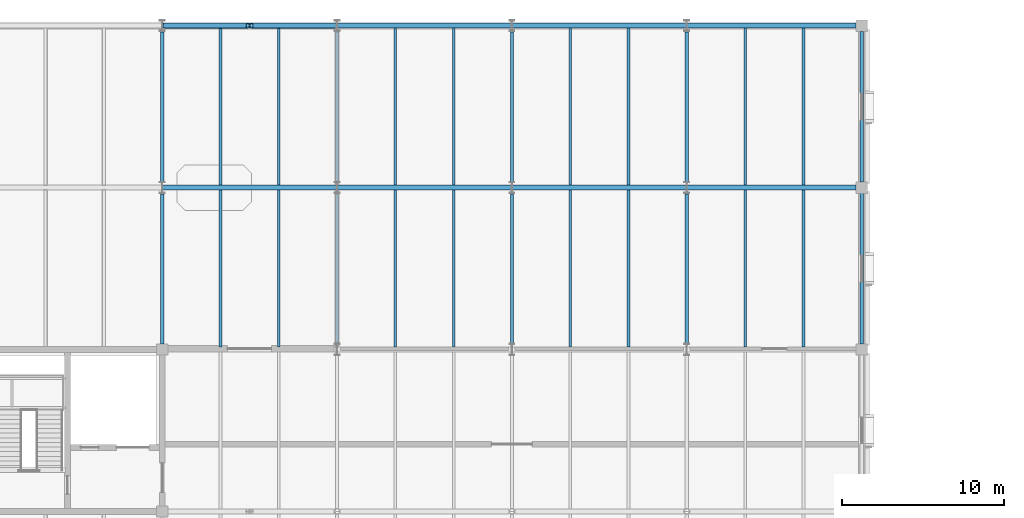
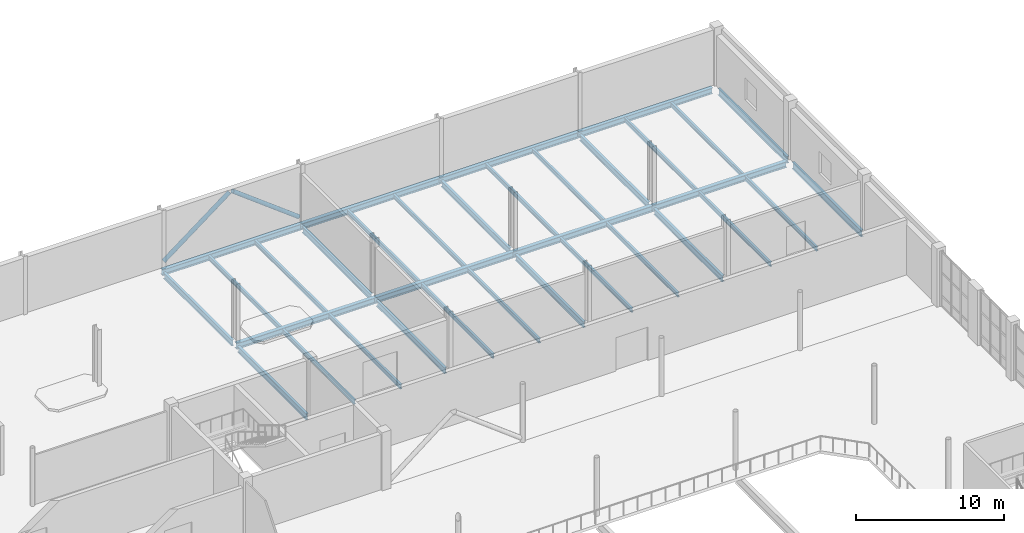
# One storey, part 45 of 92: 34 beams, 2 members.
"""IFC4 building model written with IfcOpenShell, lengths in metres."""

from ifc_helpers import new_model, si_unit, direction, frame, origin, origin_2d, place, context, subcontext, project, spatial, hollow_circle, i_section, extrude, material, material_profile, profile_set, type_object, element, save


model = new_model("IFC4")

# Units and contexts
model_context = context("Model", 3, precision=1e-05, world=origin(), true_north=direction((0.0, 1.0)))
body_context = subcontext(model_context, "Body", "Model", "MODEL_VIEW")
ifc_project = project(units=[si_unit("LENGTHUNIT", "METRE"), si_unit("AREAUNIT", "SQUARE_METRE"), si_unit("VOLUMEUNIT", "CUBIC_METRE"), si_unit("PLANEANGLEUNIT", "RADIAN"), si_unit("MASSUNIT", "GRAM", prefix="KILO")], contexts=[model_context])

# Site, building, storey
site_placement = place(None, origin())
site = spatial("IfcSite", under=ifc_project, at=site_placement, CompositionType="ELEMENT")
building_placement = place(site_placement, origin())
building = spatial("IfcBuilding", under=site, at=building_placement, Name="Tasgan Crest Museum", CompositionType="ELEMENT")
storey_placement = place(building_placement, frame((0.0, 0.0, 4.800048828125)))
storey = spatial("IfcBuildingStorey", under=building, at=storey_placement, Name="L01", CompositionType="ELEMENT", Elevation=4.800048828125)

# Beams
ifc_material_1 = material(Name="Steel S355J2", Category="steel")
ifc_material_profile_1 = material_profile(ifc_material_1, i_section(OverallWidth=0.300048828125, OverallDepth=0.489990234375, WebThickness=0.011962890625, FlangeThickness=0.02294921875, FilletRadius=0.027099609375, at=origin_2d()), Name="HEA 500")
ifc_profile_set_1 = profile_set([ifc_material_profile_1], Name="Steel S355J2")
beam_type_1 = type_object("IfcBeamType", Name="BM-G-HEA500", PredefinedType="BEAM", material=ifc_profile_set_1)
for number, where, z_axis, x_axis, name in (
    (1, (64.805419921875, 102.0, -0.485107421875), (1.0, 0.0, 0.0), (0.0, 1.0, 0.0), "Girder L01 L 64.8-75.6"),
    (2, (75.60546875, 102.0, -0.485107421875), (1.0, 0.0, 0.0), (0.0, 1.0, 0.0), "Girder L01 L 75.6-86.4"),
    (3, (86.405517578125, 102.0, -0.485107421875), (1.0, 0.0, 0.0), (0.0, 1.0, 0.0), "Girder L01 L 86.4-97.2"),
):
    element("IfcBeam", number, at=place(storey_placement, frame(where, z_axis=z_axis, x_axis=x_axis)), inside=storey, type_object=beam_type_1, Name=name, PredefinedType="BEAM", context=body_context, shape_type="SweptSolid", body=[
        extrude(i_section(OverallWidth=0.300048828125, OverallDepth=0.489990234375, WebThickness=0.011962890625, FlangeThickness=0.02294921875, FilletRadius=0.027099609375, at=origin_2d()), origin(), (0.0, 0.0, 1.0), 10.7890625),
    ])
beam_1_placement = place(storey_placement, frame((97.20556640625, 102.0, -0.485107421875), z_axis=(1.0, 0.0, 0.0), x_axis=(0.0, 1.0, 0.0)))
element("IfcBeam", 4, at=beam_1_placement, inside=storey, type_object=beam_type_1, Name="Girder L01 L 97.2-108.0", PredefinedType="BEAM", context=body_context, shape_type="SweptSolid", body=[
    extrude(i_section(OverallWidth=0.300048828125, OverallDepth=0.489990234375, WebThickness=0.011962890625, FlangeThickness=0.02294921875, FilletRadius=0.027099609375, at=origin_2d()), origin(), (0.0, 0.0, 1.0), 10.448486328125),
])
for number, where, z_axis, x_axis, name in (
    (5, (64.805419921875, 112.0, -0.485107421875), (1.0, 0.0, 0.0), (0.0, 1.0, 0.0), "Girder L01 M 64.8-75.6"),
    (6, (75.60546875, 112.0, -0.485107421875), (1.0, 0.0, 0.0), (0.0, 1.0, 0.0), "Girder L01 M 75.6-86.4"),
    (7, (86.405517578125, 112.0, -0.485107421875), (1.0, 0.0, 0.0), (0.0, 1.0, 0.0), "Girder L01 M 86.4-97.2"),
):
    element("IfcBeam", number, at=place(storey_placement, frame(where, z_axis=z_axis, x_axis=x_axis)), inside=storey, type_object=beam_type_1, Name=name, PredefinedType="BEAM", context=body_context, shape_type="SweptSolid", body=[
        extrude(i_section(OverallWidth=0.300048828125, OverallDepth=0.489990234375, WebThickness=0.011962890625, FlangeThickness=0.02294921875, FilletRadius=0.027099609375, at=origin_2d()), origin(), (0.0, 0.0, 1.0), 10.7890625),
    ])
beam_2_placement = place(storey_placement, frame((97.20556640625, 112.0, -0.485107421875), z_axis=(1.0, 0.0, 0.0), x_axis=(0.0, 1.0, 0.0)))
element("IfcBeam", 8, at=beam_2_placement, inside=storey, type_object=beam_type_1, Name="Girder L01 M 97.2-108.0", PredefinedType="BEAM", context=body_context, shape_type="SweptSolid", body=[
    extrude(i_section(OverallWidth=0.300048828125, OverallDepth=0.489990234375, WebThickness=0.011962890625, FlangeThickness=0.02294921875, FilletRadius=0.027099609375, at=origin_2d()), origin(), (0.0, 0.0, 1.0), 10.448486328125),
])
ifc_material_2 = material(Name="Steel S355J2", Category="steel")
ifc_material_profile_2 = material_profile(ifc_material_2, i_section(OverallWidth=0.199951171875, OverallDepth=0.5, WebThickness=0.01025390625, FlangeThickness=0.01611328125, FilletRadius=0.02099609375, at=origin_2d()), Name="IPE 500")
ifc_profile_set_2 = profile_set([ifc_material_profile_2], Name="Steel S355J2")
beam_type_2 = type_object("IfcBeamType", Name="BM-G-IPE500", PredefinedType="BEAM", material=ifc_profile_set_2)
beam_3_placement = place(storey_placement, frame((64.800048828125, 92.344970703125, -0.489990234375), z_axis=(0.0, 1.0, 0.0), x_axis=(-1.0, 0.0, 0.0)))
element("IfcBeam", 9, at=beam_3_placement, inside=storey, type_object=beam_type_2, Name="Beam L01 7 92.0-102.0", PredefinedType="BEAM", context=body_context, shape_type="SweptSolid", body=[
    extrude(i_section(OverallWidth=0.199951171875, OverallDepth=0.5, WebThickness=0.01025390625, FlangeThickness=0.01611328125, FilletRadius=0.02099609375, at=origin_2d()), origin(), (0.0, 0.0, 1.0), 9.26513671875),
])
for number, where, z_axis, x_axis, name in (
    (10, (64.800048828125, 102.389892578125, -0.489990234375), (0.0, 1.0, 0.0), (-1.0, 0.0, 0.0), "Beam L01 7 102.0-112.0"),
    (11, (75.60009765625, 92.389892578125, -0.489990234375), (0.0, 1.0, 0.0), (-1.0, 0.0, 0.0), "Beam L01 8 92.0-102.0"),
    (12, (75.60009765625, 102.389892578125, -0.489990234375), (0.0, 1.0, 0.0), (-1.0, 0.0, 0.0), "Beam L01 8 102.0-112.0"),
    (13, (86.39990234375, 92.389892578125, -0.489990234375), (0.0, 1.0, 0.0), (-1.0, 0.0, 0.0), "Beam L01 9 92.0-102.0"),
    (14, (86.39990234375, 102.389892578125, -0.489990234375), (0.0, 1.0, 0.0), (-1.0, 0.0, 0.0), "Beam L01 9 102.0-112.0"),
    (15, (97.199951171875, 92.389892578125, -0.489990234375), (0.0, 1.0, 0.0), (-1.0, 0.0, 0.0), "Beam L01 10 92.0-102.0"),
    (16, (97.199951171875, 102.389892578125, -0.489990234375), (0.0, 1.0, 0.0), (-1.0, 0.0, 0.0), "Beam L01 10 102.0-112.0"),
):
    element("IfcBeam", number, at=place(storey_placement, frame(where, z_axis=z_axis, x_axis=x_axis)), inside=storey, type_object=beam_type_2, Name=name, PredefinedType="BEAM", context=body_context, shape_type="SweptSolid", body=[
        extrude(i_section(OverallWidth=0.199951171875, OverallDepth=0.5, WebThickness=0.01025390625, FlangeThickness=0.01611328125, FilletRadius=0.02099609375, at=origin_2d()), origin(), (0.0, 0.0, 1.0), 9.22021484375),
    ])
ifc_material_3 = material(Name="Steel S355J2", Category="steel")
ifc_material_profile_3 = material_profile(ifc_material_3, i_section(OverallWidth=0.2099609375, OverallDepth=0.550048828125, WebThickness=0.010986328125, FlangeThickness=0.01708984375, FilletRadius=0.02392578125, at=origin_2d()), Name="IPE 550")
ifc_profile_set_3 = profile_set([ifc_material_profile_3], Name="Steel S355J2")
beam_type_3 = type_object("IfcBeamType", Name="BM-G-IPE550", PredefinedType="BEAM", material=ifc_profile_set_3)
for number, where, z_axis, x_axis, name in (
    (17, (108.0, 92.344970703125, -0.51513671875), (0.0, 1.0, 0.0), (-1.0, 0.0, 0.0), "Beam L01 11 92.0-102.0"),
    (18, (108.0, 102.344970703125, -0.51513671875), (0.0, 1.0, 0.0), (-1.0, 0.0, 0.0), "Beam L01 11 102.0-112.0"),
):
    element("IfcBeam", number, at=place(storey_placement, frame(where, z_axis=z_axis, x_axis=x_axis)), inside=storey, type_object=beam_type_3, Name=name, PredefinedType="BEAM", context=body_context, shape_type="SweptSolid", body=[
        extrude(i_section(OverallWidth=0.2099609375, OverallDepth=0.550048828125, WebThickness=0.010986328125, FlangeThickness=0.01708984375, FilletRadius=0.02392578125, at=origin_2d()), origin(), (0.0, 0.0, 1.0), 9.31005859375),
    ])
ifc_material_4 = material(Name="Steel S355J2", Category="steel")
ifc_material_profile_4 = material_profile(ifc_material_4, i_section(OverallWidth=0.169921875, OverallDepth=0.360107421875, WebThickness=0.008056640625, FlangeThickness=0.0126953125, FilletRadius=0.01806640625, at=origin_2d()), Name="IPE 360")
ifc_profile_set_4 = profile_set([ifc_material_profile_4], Name="Steel S355J2")
beam_type_4 = type_object("IfcBeamType", Name="BM-J-IPE360", PredefinedType="JOIST", material=ifc_profile_set_4)
for number, where, z_axis, x_axis, name in (
    (19, (68.39990234375, 92.14501953125, -0.420166015625), (0.0, 1.0, 0.0), (-1.0, 0.0, 0.0), "Secondary joist L01 X=68.4 Y=92.0-102.0"),
    (20, (72.0, 92.14501953125, -0.420166015625), (0.0, 1.0, 0.0), (-1.0, 0.0, 0.0), "Secondary joist L01 X=72.0 Y=92.0-102.0"),
    (21, (68.39990234375, 102.14501953125, -0.420166015625), (0.0, 1.0, 0.0), (-1.0, 0.0, 0.0), "Secondary joist L01 X=68.4 Y=102.0-112.0"),
    (22, (72.0, 102.14501953125, -0.420166015625), (0.0, 1.0, 0.0), (-1.0, 0.0, 0.0), "Secondary joist L01 X=72.0 Y=102.0-112.0"),
    (23, (79.199951171875, 92.14501953125, -0.420166015625), (0.0, 1.0, 0.0), (-1.0, 0.0, 0.0), "Secondary joist L01 X=79.2 Y=92.0-102.0"),
    (24, (82.800048828125, 92.14501953125, -0.420166015625), (0.0, 1.0, 0.0), (-1.0, 0.0, 0.0), "Secondary joist L01 X=82.8 Y=92.0-102.0"),
    (25, (79.199951171875, 102.14501953125, -0.420166015625), (0.0, 1.0, 0.0), (-1.0, 0.0, 0.0), "Secondary joist L01 X=79.2 Y=102.0-112.0"),
    (26, (82.800048828125, 102.14501953125, -0.420166015625), (0.0, 1.0, 0.0), (-1.0, 0.0, 0.0), "Secondary joist L01 X=82.8 Y=102.0-112.0"),
    (27, (90.0, 92.14501953125, -0.420166015625), (0.0, 1.0, 0.0), (-1.0, 0.0, 0.0), "Secondary joist L01 X=90.0 Y=92.0-102.0"),
    (28, (93.60009765625, 92.14501953125, -0.420166015625), (0.0, 1.0, 0.0), (-1.0, 0.0, 0.0), "Secondary joist L01 X=93.6 Y=92.0-102.0"),
    (29, (90.0, 102.14501953125, -0.420166015625), (0.0, 1.0, 0.0), (-1.0, 0.0, 0.0), "Secondary joist L01 X=90.0 Y=102.0-112.0"),
    (30, (93.60009765625, 102.14501953125, -0.420166015625), (0.0, 1.0, 0.0), (-1.0, 0.0, 0.0), "Secondary joist L01 X=93.6 Y=102.0-112.0"),
    (31, (100.800048828125, 92.14501953125, -0.420166015625), (0.0, 1.0, 0.0), (-1.0, 0.0, 0.0), "Secondary joist L01 X=100.8 Y=92.0-102.0"),
    (32, (104.39990234375, 92.14501953125, -0.420166015625), (0.0, 1.0, 0.0), (-1.0, 0.0, 0.0), "Secondary joist L01 X=104.4 Y=92.0-102.0"),
    (33, (100.800048828125, 102.14501953125, -0.420166015625), (0.0, 1.0, 0.0), (-1.0, 0.0, 0.0), "Secondary joist L01 X=100.8 Y=102.0-112.0"),
    (34, (104.39990234375, 102.14501953125, -0.420166015625), (0.0, 1.0, 0.0), (-1.0, 0.0, 0.0), "Secondary joist L01 X=104.4 Y=102.0-112.0"),
):
    element("IfcBeam", number, at=place(storey_placement, frame(where, z_axis=z_axis, x_axis=x_axis)), inside=storey, type_object=beam_type_4, Name=name, PredefinedType="JOIST", context=body_context, shape_type="SweptSolid", body=[
        extrude(i_section(OverallWidth=0.169921875, OverallDepth=0.360107421875, WebThickness=0.008056640625, FlangeThickness=0.0126953125, FilletRadius=0.01806640625, at=origin_2d()), origin(), (0.0, 0.0, 1.0), 9.7099609375),
    ])

# Members
ifc_material_5 = material(Name="Steel S355K2", Category="steel")
ifc_material_profile_5 = material_profile(ifc_material_5, hollow_circle(Radius=0.161865234375, WallThickness=0.01416015625, at=origin_2d()), Name="CHS 323.9x14.2")
ifc_profile_set_5 = profile_set([ifc_material_profile_5], Name="Steel S355K2")
member_type = type_object("IfcMemberType", Name="MEM-BRACE-CHS323", PredefinedType="BRACE", material=ifc_profile_set_5)
member_1_placement = place(storey_placement, frame((64.949951171875, 112.0, 0.349853515625), z_axis=(0.796068741114, 0.0, 0.605206212312), x_axis=(0.0, 1.0, 0.0)))
element("IfcMember", 35, at=member_1_placement, inside=storey, type_object=member_type, Name="Chevron brace L L01 M 64.8", PredefinedType="BRACE", context=body_context, shape_type="SweptSolid", body=[
    extrude(hollow_circle(Radius=0.161865234375, WallThickness=0.01416015625, at=origin_2d()), origin(), (0.0, 0.0, 1.0), 6.4443359375),
])
member_2_placement = place(storey_placement, frame((75.449951171875, 112.0, 0.349853515625), z_axis=(-0.796054864328, 0.0, 0.605224464955), x_axis=(0.0, -1.0, 0.0)))
element("IfcMember", 36, at=member_2_placement, inside=storey, type_object=member_type, Name="Chevron brace R L01 M 75.6", PredefinedType="BRACE", context=body_context, shape_type="SweptSolid", body=[
    extrude(hollow_circle(Radius=0.161865234375, WallThickness=0.01416015625, at=origin_2d()), origin(), (0.0, 0.0, 1.0), 6.444091796875),
])

save(model, "model.ifc")
